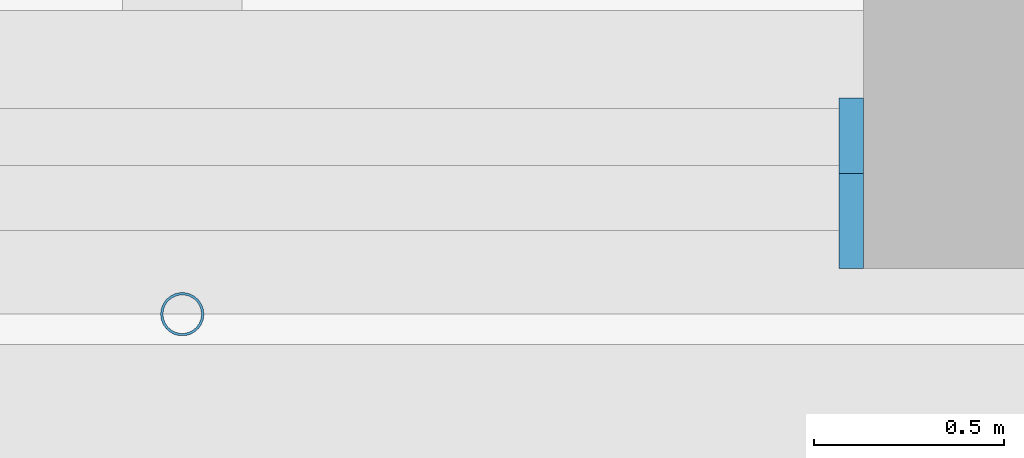
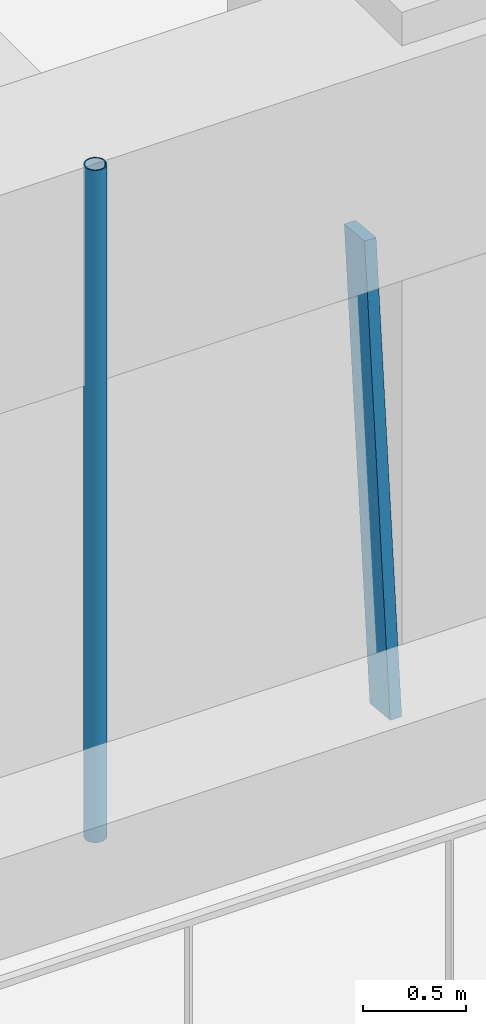
# One storey, part 4 of 23: 2 members, 1 element without a shape of its own.
"""IFC4 building model written with IfcOpenShell, lengths in metres."""

from ifc_helpers import new_model, si_unit, direction, frame, origin, origin_2d, place, context, subcontext, project, spatial, rectangle, hollow_circle, extrude, material, material_profile, profile_set, type_object, element, aggregate, save


model = new_model("IFC4")

# Units and contexts
model_context = context("Model", 3, precision=1e-05, world=origin(), true_north=direction((0.0, 1.0)))
body_context = subcontext(model_context, "Body", "Model", "MODEL_VIEW")
ifc_project = project(units=[si_unit("LENGTHUNIT", "METRE"), si_unit("AREAUNIT", "SQUARE_METRE"), si_unit("VOLUMEUNIT", "CUBIC_METRE"), si_unit("PLANEANGLEUNIT", "RADIAN"), si_unit("MASSUNIT", "GRAM", prefix="KILO")], contexts=[model_context])

# Site, building, storey
site_placement = place(None, origin())
site = spatial("IfcSite", under=ifc_project, at=site_placement, CompositionType="ELEMENT")
building_placement = place(site_placement, origin())
building = spatial("IfcBuilding", under=site, at=building_placement, Name="Tarfa Lantern Tower", CompositionType="ELEMENT")
storey_placement = place(building_placement, frame((0.0, 0.0, 99.10009765625)))
storey = spatial("IfcBuildingStorey", under=building, at=storey_placement, Name="L22", CompositionType="ELEMENT", Elevation=99.10009765625)

# Curtain wall, member
ifc_material_1 = material(Name="Aluminium framed curtain wall", Category="aluminium")
curtain_wall_type = type_object("IfcCurtainWallType", Name="CW1 CANTED GLAZING LOW ZONE 2700", PredefinedType="USERDEFINED", material=ifc_material_1)
curtain_wall_placement = place(storey_placement, origin())
curtain_wall = element("IfcCurtainWall", 1, at=curtain_wall_placement, inside=storey, type_object=curtain_wall_type, Name="CW1 S L22", ObjectType="CURTAIN WALL", PredefinedType="USERDEFINED")
ifc_material_2 = material(Name="Aluminium mullion", Category="aluminium")
ifc_material_profile_1 = material_profile(ifc_material_2, rectangle(XDim=0.06494140625, YDim=0.199951171875, at=origin_2d()), Name="AL MULLION 65x200")
ifc_profile_set_1 = profile_set([ifc_material_profile_1], Name="Aluminium mullion")
member_type_1 = type_object("IfcMemberType", Name="CWM1 MULLION 65x200", PredefinedType="MULLION", material=ifc_profile_set_1)
member_1_placement = place(storey_placement, frame((9.8447265625, -33.89990234375, 0.0), z_axis=(0.0, 0.092199863775, 0.995740520979), x_axis=(-1.0, 0.0, 0.0)))
member_1 = element("IfcMember", 2, at=member_1_placement, type_object=member_type_1, Name="CW1 mullion 2", PredefinedType="MULLION", context=body_context, shape_type="SweptSolid", body=[
    extrude(rectangle(XDim=0.06494140625, YDim=0.199951171875, at=origin_2d()), origin(), (0.0, 0.0, 1.0), 2.71142578125),
])
aggregate(curtain_wall, [member_1])

# Member
ifc_material_3 = material(Name="Steel S355", Category="steel")
ifc_material_profile_2 = material_profile(ifc_material_3, hollow_circle(Radius=0.05712890625, WallThickness=0.00634765625, at=origin_2d()), Name="CHS114.3x6.3")
ifc_profile_set_2 = profile_set([ifc_material_profile_2], Name="Steel S355")
member_type_2 = type_object("IfcMemberType", Name="TR1 GREEN WALL TRELLIS CHS114.3x6.3", PredefinedType="USERDEFINED", material=ifc_profile_set_2)
member_2_placement = place(storey_placement, frame((8.0830078125, -34.1201171875, 0.0), z_axis=(0.0, 0.0, 1.0), x_axis=(1.0, 0.0, 0.0)))
element("IfcMember", 3, at=member_2_placement, inside=storey, type_object=member_type_2, Name="Trellis post S 2", ObjectType="TRELLIS", PredefinedType="USERDEFINED", context=body_context, shape_type="SweptSolid", body=[
    extrude(hollow_circle(Radius=0.05712890625, WallThickness=0.00634765625, at=origin_2d()), origin(), (0.0, 0.0, 1.0), 4.0),
])

save(model, "model.ifc")
